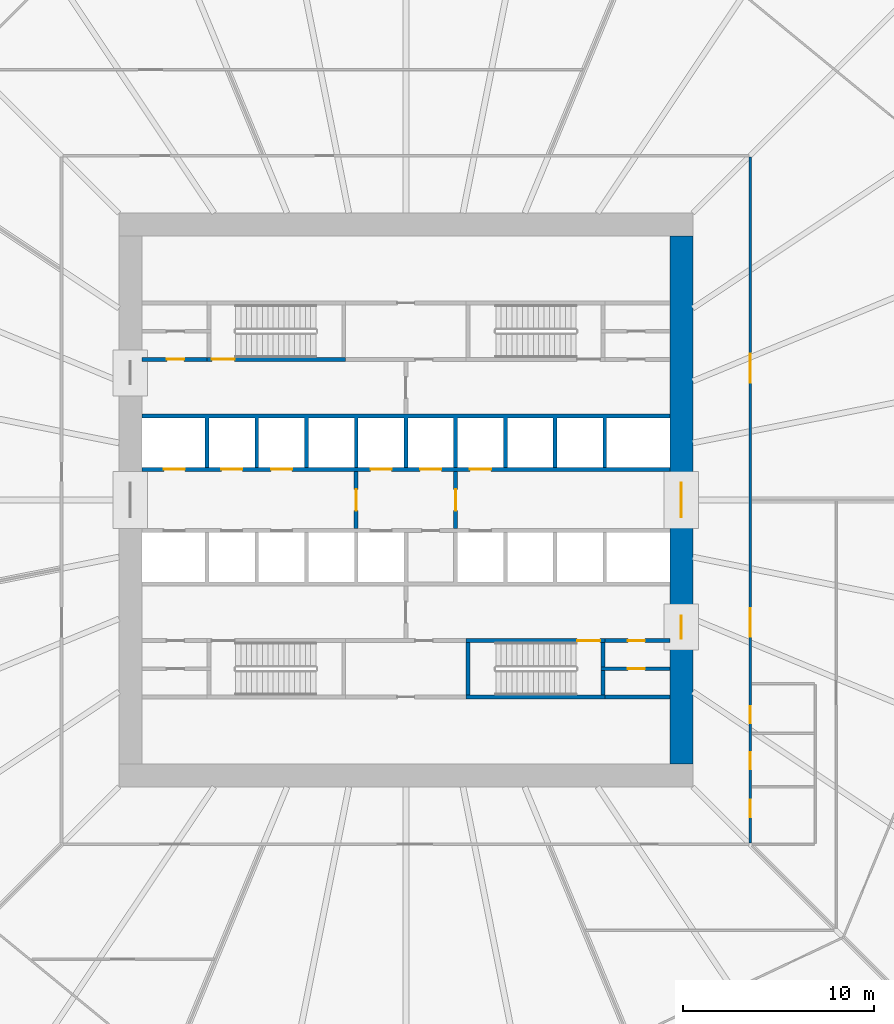
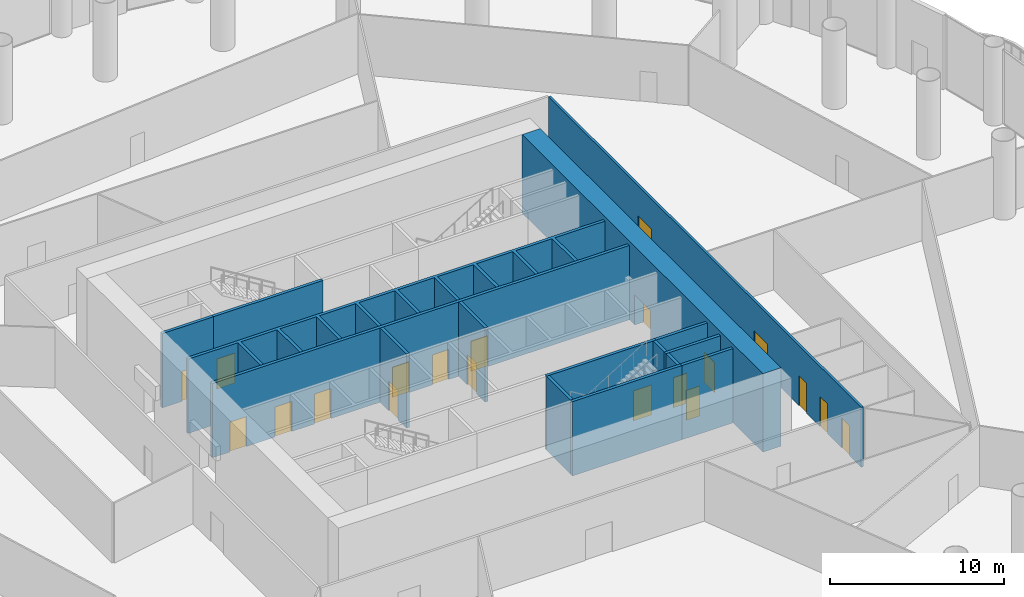
# One storey, part 25 of 37: 20 doors, 16 walls, 20 openings.
"""IFC4 building model written with IfcOpenShell, lengths in metres."""

from ifc_helpers import new_model, si_unit, direction, frame, frame_2d, origin, place, context, subcontext, project, spatial, polyline, rectangle, outline, extrude, material, layer, layer_set, type_object, element, fill, save


model = new_model("IFC4")

# Units and contexts
model_context = context("Model", 3, precision=1e-05, world=origin(), true_north=direction((0.0, 1.0)))
body_context = subcontext(model_context, "Body", "Model", "MODEL_VIEW")
ifc_project = project(units=[si_unit("LENGTHUNIT", "METRE"), si_unit("AREAUNIT", "SQUARE_METRE"), si_unit("VOLUMEUNIT", "CUBIC_METRE"), si_unit("PLANEANGLEUNIT", "RADIAN"), si_unit("MASSUNIT", "GRAM", prefix="KILO")], contexts=[model_context])

# Site, building, storey
site_placement = place(None, origin())
site = spatial("IfcSite", under=ifc_project, at=site_placement, CompositionType="ELEMENT")
building_placement = place(site_placement, origin())
building = spatial("IfcBuilding", under=site, at=building_placement, Name="Corvane Civic Tower", CompositionType="ELEMENT")
storey_placement = place(building_placement, frame((0.0, 0.0, 11.5)))
storey = spatial("IfcBuildingStorey", under=building, at=storey_placement, Name="L02", CompositionType="ELEMENT", Elevation=11.5)

# Wall, openings, doors
ifc_material_1 = material(Name="Concrete C80/95", Category="concrete")
ifc_layer_1 = layer(ifc_material_1, 1.199951171875)
ifc_layer_set_1 = layer_set([ifc_layer_1], Name="Concrete C80/95")
wall_type_1 = type_object("IfcWallType", Name="CORE WALL 1200 C80/95", PredefinedType="SHEAR", material=ifc_layer_set_1)
wall_1_placement = place(storey_placement, frame((14.39990234375, -13.800048828125, 0.0), z_axis=(0.0, 0.0, 1.0), x_axis=(0.0, 1.0, 0.0)))
wall_1 = element("IfcWall", 1, at=wall_1_placement, inside=storey, type_object=wall_type_1, Name="W-L02-core-E", PredefinedType="SHEAR", context=body_context, shape_type="SweptSolid", body=[
    extrude(rectangle(XDim=27.60009765625, YDim=1.199951171875, at=frame_2d((13.800048828125, 0.0))), origin(), (0.0, 0.0, 1.0), 5.5),
])
opening_1_placement = place(wall_1_placement, frame((12.89990234375, 0.0, 0.0)))
opening_1 = element("IfcOpeningElement", 2, at=opening_1_placement, cuts=wall_1, Name="Opening L02.C23", PredefinedType="OPENING", context=body_context, shape_type="SweptSolid", body=[
    extrude(rectangle(XDim=1.800048828125, YDim=2.10009765625, at=frame_2d((0.89990234375, 1.050048828125))), frame((0.0, 0.60986328125, 0.0), z_axis=(0.0, -1.0, 0.0), x_axis=(1.0, 0.0, 0.0)), (0.0, 0.0, 1.0), 1.219970703125),
])
opening_2_placement = place(wall_1_placement, frame((6.550048828125, 0.0, 0.0)))
opening_2 = element("IfcOpeningElement", 3, at=opening_2_placement, cuts=wall_1, Name="Opening L02.C25", PredefinedType="OPENING", context=body_context, shape_type="SweptSolid", body=[
    extrude(rectangle(XDim=1.199951171875, YDim=2.10009765625, at=frame_2d((0.60009765625, 1.050048828125))), frame((0.0, 0.60986328125, 0.0), z_axis=(0.0, -1.0, 0.0), x_axis=(1.0, 0.0, 0.0)), (0.0, 0.0, 1.0), 1.219970703125),
])
ifc_material_2 = material(Name="Steel fire door leaf", Category="steel")
door_type_1 = type_object("IfcDoorType", Name="CR-DOOR-CORE-1800", OperationType="DOUBLE_DOOR_SINGLE_SWING", PredefinedType="DOOR", material=ifc_material_2)
door_1_placement = place(opening_1_placement, origin())
door_1 = element("IfcDoor", 4, at=door_1_placement, inside=storey, type_object=door_type_1, Name="L02 door", OperationType="DOUBLE_DOOR_SINGLE_SWING", OverallHeight=2.10009765625, OverallWidth=1.800048828125, PredefinedType="DOOR", context=body_context, shape_type="SweptSolid", body=[
    extrude(rectangle(XDim=1.800048828125, YDim=2.10009765625, at=frame_2d((0.89990234375, 1.050048828125))), frame((0.0, 0.02490234375, 0.0), z_axis=(0.0, -1.0, 0.0), x_axis=(1.0, 0.0, 0.0)), (0.0, 0.0, 1.0), 0.050048828125),
])
fill(opening_1, door_1)
door_2_placement = place(opening_2_placement, origin())
door_2 = element("IfcDoor", 5, at=door_2_placement, inside=storey, type_object=door_type_1, Name="L02 door", OperationType="DOUBLE_DOOR_SINGLE_SWING", OverallHeight=2.10009765625, OverallWidth=1.199951171875, PredefinedType="DOOR", context=body_context, shape_type="SweptSolid", body=[
    extrude(rectangle(XDim=1.199951171875, YDim=2.10009765625, at=frame_2d((0.60009765625, 1.050048828125))), frame((0.0, 0.02490234375, 0.0), z_axis=(0.0, -1.0, 0.0), x_axis=(1.0, 0.0, 0.0)), (0.0, 0.0, 1.0), 0.050048828125),
])
fill(opening_2, door_2)

# Wall, opening, door
ifc_material_3 = material(Name="Concrete C30/37", Category="concrete")
ifc_layer_2 = layer(ifc_material_3, 0.199951171875)
ifc_layer_set_2 = layer_set([ifc_layer_2], Name="Concrete C30/37")
wall_type_2 = type_object("IfcWallType", Name="CR-WALL-200", PredefinedType="PARTITIONING", material=ifc_layer_set_2)
wall_2_placement = place(storey_placement, frame((10.199951171875, -8.824951171875, 0.0), z_axis=(0.0, 0.0, 1.0), x_axis=(1.0, 0.0, 0.0)))
wall_2 = element("IfcWall", 6, at=wall_2_placement, inside=storey, type_object=wall_type_2, Name="L02 partition wall", PredefinedType="PARTITIONING", context=body_context, shape_type="SweptSolid", body=[
    extrude(rectangle(XDim=3.60009765625, YDim=0.199951171875, at=frame_2d((1.800048828125, 0.0))), origin(), (0.0, 0.0, 1.0), 5.199951171875),
])
opening_3_placement = place(wall_2_placement, frame((1.39990234375, 0.0, 0.0)))
opening_3 = element("IfcOpeningElement", 7, at=opening_3_placement, cuts=wall_2, Name="Opening L02.C13", PredefinedType="OPENING", context=body_context, shape_type="SweptSolid", body=[
    extrude(rectangle(XDim=0.89990234375, YDim=2.10009765625, at=frame_2d((0.449951171875, 1.050048828125))), frame((0.0, 0.10986328125, 0.0), z_axis=(0.0, -1.0, 0.0), x_axis=(1.0, 0.0, 0.0)), (0.0, 0.0, 1.0), 0.219970703125),
])
ifc_material_4 = material(Name="Steel fire door leaf", Category="steel")
door_type_2 = type_object("IfcDoorType", Name="CR-DOOR-900", OperationType="SINGLE_SWING_LEFT", PredefinedType="DOOR", material=ifc_material_4)
door_3_placement = place(opening_3_placement, origin())
door_3 = element("IfcDoor", 8, at=door_3_placement, inside=storey, type_object=door_type_2, Name="L02 door", OperationType="SINGLE_SWING_LEFT", OverallHeight=2.10009765625, OverallWidth=0.89990234375, PredefinedType="DOOR", context=body_context, shape_type="SweptSolid", body=[
    extrude(rectangle(XDim=0.89990234375, YDim=2.10009765625, at=frame_2d((0.449951171875, 1.050048828125))), frame((0.0, 0.02490234375, 0.0), z_axis=(0.0, -1.0, 0.0), x_axis=(1.0, 0.0, 0.0)), (0.0, 0.0, 1.0), 0.050048828125),
])
fill(opening_3, door_3)

wall_3_placement = place(storey_placement, frame((10.39990234375, -7.35009765625, 0.0), z_axis=(0.0, 0.0, 1.0), x_axis=(1.0, 0.0, 0.0)))
wall_3 = element("IfcWall", 9, at=wall_3_placement, inside=storey, type_object=wall_type_2, Name="L02 core partition wall", PredefinedType="PARTITIONING", context=body_context, shape_type="SweptSolid", body=[
    extrude(rectangle(XDim=3.400146484375, YDim=0.199951171875, at=frame_2d((1.7001953125, 0.0))), origin(), (0.0, 0.0, 1.0), 5.199951171875),
])
opening_4_placement = place(wall_3_placement, frame((1.199951171875, 0.0, 0.0)))
opening_4 = element("IfcOpeningElement", 10, at=opening_4_placement, cuts=wall_3, Name="Opening L02.C12", PredefinedType="OPENING", context=body_context, shape_type="SweptSolid", body=[
    extrude(rectangle(XDim=0.89990234375, YDim=2.10009765625, at=frame_2d((0.449951171875, 1.050048828125))), frame((0.0, 0.10986328125, 0.0), z_axis=(0.0, -1.0, 0.0), x_axis=(1.0, 0.0, 0.0)), (0.0, 0.0, 1.0), 0.219970703125),
])
door_4_placement = place(opening_4_placement, origin())
door_4 = element("IfcDoor", 11, at=door_4_placement, inside=storey, type_object=door_type_2, Name="L02 door", OperationType="SINGLE_SWING_LEFT", OverallHeight=2.10009765625, OverallWidth=0.89990234375, PredefinedType="DOOR", context=body_context, shape_type="SweptSolid", body=[
    extrude(rectangle(XDim=0.89990234375, YDim=2.10009765625, at=frame_2d((0.449951171875, 1.050048828125))), frame((0.0, 0.02490234375, 0.0), z_axis=(0.0, -1.0, 0.0), x_axis=(1.0, 0.0, 0.0)), (0.0, 0.0, 1.0), 0.050048828125),
])
fill(opening_4, door_4)

# Wall, openings, doors
wall_4_placement = place(storey_placement, frame((-13.800048828125, 1.60009765625, 0.0), z_axis=(0.0, 0.0, 1.0), x_axis=(1.0, 0.0, 0.0)))
wall_4 = element("IfcWall", 12, at=wall_4_placement, inside=storey, type_object=wall_type_2, Name="L02 lift shaft wall", PredefinedType="PARTITIONING", context=body_context, shape_type="SweptSolid", body=[
    extrude(rectangle(XDim=27.60009765625, YDim=0.199951171875, at=frame_2d((13.800048828125, 0.0))), origin(), (0.0, 0.0, 1.0), 5.199951171875),
])
opening_5_placement = place(wall_4_placement, frame((1.14990234375, 0.0, 0.0)))
opening_5 = element("IfcOpeningElement", 13, at=opening_5_placement, cuts=wall_4, Name="Opening LD", PredefinedType="OPENING", context=body_context, shape_type="SweptSolid", body=[
    extrude(rectangle(XDim=1.10009765625, YDim=2.10009765625, at=frame_2d((0.550048828125, 1.050048828125))), frame((0.0, 0.10986328125, 0.0), z_axis=(0.0, -1.0, 0.0), x_axis=(1.0, 0.0, 0.0)), (0.0, 0.0, 1.0), 0.219970703125),
])
opening_6_placement = place(wall_4_placement, frame((4.14990234375, 0.0, 0.0)))
opening_6 = element("IfcOpeningElement", 14, at=opening_6_placement, cuts=wall_4, Name="Opening LD", PredefinedType="OPENING", context=body_context, shape_type="SweptSolid", body=[
    extrude(rectangle(XDim=1.10009765625, YDim=2.10009765625, at=frame_2d((0.550048828125, 1.050048828125))), frame((0.0, 0.10986328125, 0.0), z_axis=(0.0, -1.0, 0.0), x_axis=(1.0, 0.0, 0.0)), (0.0, 0.0, 1.0), 0.219970703125),
])
opening_7_placement = place(wall_4_placement, frame((6.75, 0.0, 0.0)))
opening_7 = element("IfcOpeningElement", 15, at=opening_7_placement, cuts=wall_4, Name="Opening LD", PredefinedType="OPENING", context=body_context, shape_type="SweptSolid", body=[
    extrude(rectangle(XDim=1.10009765625, YDim=2.10009765625, at=frame_2d((0.550048828125, 1.050048828125))), frame((0.0, 0.10986328125, 0.0), z_axis=(0.0, -1.0, 0.0), x_axis=(1.0, 0.0, 0.0)), (0.0, 0.0, 1.0), 0.219970703125),
])
opening_8_placement = place(wall_4_placement, frame((11.949951171875, 0.0, 0.0)))
opening_8 = element("IfcOpeningElement", 16, at=opening_8_placement, cuts=wall_4, Name="Opening LD", PredefinedType="OPENING", context=body_context, shape_type="SweptSolid", body=[
    extrude(rectangle(XDim=1.10009765625, YDim=2.10009765625, at=frame_2d((0.550048828125, 1.050048828125))), frame((0.0, 0.10986328125, 0.0), z_axis=(0.0, -1.0, 0.0), x_axis=(1.0, 0.0, 0.0)), (0.0, 0.0, 1.0), 0.219970703125),
])
opening_9_placement = place(wall_4_placement, frame((14.550048828125, 0.0, 0.0)))
opening_9 = element("IfcOpeningElement", 17, at=opening_9_placement, cuts=wall_4, Name="Opening LD", PredefinedType="OPENING", context=body_context, shape_type="SweptSolid", body=[
    extrude(rectangle(XDim=1.10009765625, YDim=2.10009765625, at=frame_2d((0.550048828125, 1.050048828125))), frame((0.0, 0.10986328125, 0.0), z_axis=(0.0, -1.0, 0.0), x_axis=(1.0, 0.0, 0.0)), (0.0, 0.0, 1.0), 0.219970703125),
])
opening_10_placement = place(wall_4_placement, frame((17.14990234375, 0.0, 0.0)))
opening_10 = element("IfcOpeningElement", 18, at=opening_10_placement, cuts=wall_4, Name="Opening LD", PredefinedType="OPENING", context=body_context, shape_type="SweptSolid", body=[
    extrude(rectangle(XDim=1.10009765625, YDim=2.10009765625, at=frame_2d((0.550048828125, 1.050048828125))), frame((0.0, 0.10986328125, 0.0), z_axis=(0.0, -1.0, 0.0), x_axis=(1.0, 0.0, 0.0)), (0.0, 0.0, 1.0), 0.219970703125),
])
ifc_material_5 = material(Name="Stainless steel 316 door leaves", Category="steel")
door_type_3 = type_object("IfcDoorType", Name="LD", OperationType="DOUBLE_DOOR_SLIDING", PredefinedType="DOOR", material=ifc_material_5)
door_5_placement = place(opening_5_placement, origin())
door_5 = element("IfcDoor", 19, at=door_5_placement, inside=storey, type_object=door_type_3, Name="L02 landing door", OperationType="DOUBLE_DOOR_SLIDING", OverallHeight=2.10009765625, OverallWidth=1.10009765625, PredefinedType="DOOR", context=body_context, shape_type="SweptSolid", body=[
    extrude(rectangle(XDim=1.10009765625, YDim=2.10009765625, at=frame_2d((0.550048828125, 1.050048828125))), frame((0.0, 0.02490234375, 0.0), z_axis=(0.0, -1.0, 0.0), x_axis=(1.0, 0.0, 0.0)), (0.0, 0.0, 1.0), 0.050048828125),
])
fill(opening_5, door_5)
door_6_placement = place(opening_6_placement, origin())
door_6 = element("IfcDoor", 20, at=door_6_placement, inside=storey, type_object=door_type_3, Name="L02 landing door", OperationType="DOUBLE_DOOR_SLIDING", OverallHeight=2.10009765625, OverallWidth=1.10009765625, PredefinedType="DOOR", context=body_context, shape_type="SweptSolid", body=[
    extrude(rectangle(XDim=1.10009765625, YDim=2.10009765625, at=frame_2d((0.550048828125, 1.050048828125))), frame((0.0, 0.02490234375, 0.0), z_axis=(0.0, -1.0, 0.0), x_axis=(1.0, 0.0, 0.0)), (0.0, 0.0, 1.0), 0.050048828125),
])
fill(opening_6, door_6)
door_7_placement = place(opening_7_placement, origin())
door_7 = element("IfcDoor", 21, at=door_7_placement, inside=storey, type_object=door_type_3, Name="L02 landing door", OperationType="DOUBLE_DOOR_SLIDING", OverallHeight=2.10009765625, OverallWidth=1.10009765625, PredefinedType="DOOR", context=body_context, shape_type="SweptSolid", body=[
    extrude(rectangle(XDim=1.10009765625, YDim=2.10009765625, at=frame_2d((0.550048828125, 1.050048828125))), frame((0.0, 0.02490234375, 0.0), z_axis=(0.0, -1.0, 0.0), x_axis=(1.0, 0.0, 0.0)), (0.0, 0.0, 1.0), 0.050048828125),
])
fill(opening_7, door_7)
door_8_placement = place(opening_8_placement, origin())
door_8 = element("IfcDoor", 22, at=door_8_placement, inside=storey, type_object=door_type_3, Name="L02 landing door", OperationType="DOUBLE_DOOR_SLIDING", OverallHeight=2.10009765625, OverallWidth=1.10009765625, PredefinedType="DOOR", context=body_context, shape_type="SweptSolid", body=[
    extrude(rectangle(XDim=1.10009765625, YDim=2.10009765625, at=frame_2d((0.550048828125, 1.050048828125))), frame((0.0, 0.02490234375, 0.0), z_axis=(0.0, -1.0, 0.0), x_axis=(1.0, 0.0, 0.0)), (0.0, 0.0, 1.0), 0.050048828125),
])
fill(opening_8, door_8)
door_9_placement = place(opening_9_placement, origin())
door_9 = element("IfcDoor", 23, at=door_9_placement, inside=storey, type_object=door_type_3, Name="L02 landing door", OperationType="DOUBLE_DOOR_SLIDING", OverallHeight=2.10009765625, OverallWidth=1.10009765625, PredefinedType="DOOR", context=body_context, shape_type="SweptSolid", body=[
    extrude(rectangle(XDim=1.10009765625, YDim=2.10009765625, at=frame_2d((0.550048828125, 1.050048828125))), frame((0.0, 0.02490234375, 0.0), z_axis=(0.0, -1.0, 0.0), x_axis=(1.0, 0.0, 0.0)), (0.0, 0.0, 1.0), 0.050048828125),
])
fill(opening_9, door_9)
door_10_placement = place(opening_10_placement, origin())
door_10 = element("IfcDoor", 24, at=door_10_placement, inside=storey, type_object=door_type_3, Name="L02 landing door", OperationType="DOUBLE_DOOR_SLIDING", OverallHeight=2.10009765625, OverallWidth=1.10009765625, PredefinedType="DOOR", context=body_context, shape_type="SweptSolid", body=[
    extrude(rectangle(XDim=1.10009765625, YDim=2.10009765625, at=frame_2d((0.550048828125, 1.050048828125))), frame((0.0, 0.02490234375, 0.0), z_axis=(0.0, -1.0, 0.0), x_axis=(1.0, 0.0, 0.0)), (0.0, 0.0, 1.0), 0.050048828125),
])
fill(opening_10, door_10)

# Wall, opening, door
wall_5_placement = place(storey_placement, frame((-13.800048828125, 7.35009765625, 0.0), z_axis=(0.0, 0.0, 1.0), x_axis=(1.0, 0.0, 0.0)))
wall_5 = element("IfcWall", 25, at=wall_5_placement, inside=storey, type_object=wall_type_2, Name="L02 core partition wall", PredefinedType="PARTITIONING", context=body_context, shape_type="SweptSolid", body=[
    extrude(rectangle(XDim=3.400146484375, YDim=0.199951171875, at=frame_2d((1.7001953125, 0.0))), origin(), (0.0, 0.0, 1.0), 5.199951171875),
])
opening_11_placement = place(wall_5_placement, frame((1.300048828125, 0.0, 0.0)))
opening_11 = element("IfcOpeningElement", 26, at=opening_11_placement, cuts=wall_5, Name="Opening L02.C06", PredefinedType="OPENING", context=body_context, shape_type="SweptSolid", body=[
    extrude(rectangle(XDim=0.89990234375, YDim=2.10009765625, at=frame_2d((0.449951171875, 1.050048828125))), frame((0.0, 0.10986328125, 0.0), z_axis=(0.0, -1.0, 0.0), x_axis=(1.0, 0.0, 0.0)), (0.0, 0.0, 1.0), 0.219970703125),
])
door_11_placement = place(opening_11_placement, origin())
door_11 = element("IfcDoor", 27, at=door_11_placement, inside=storey, type_object=door_type_2, Name="L02 door", OperationType="SINGLE_SWING_LEFT", OverallHeight=2.10009765625, OverallWidth=0.89990234375, PredefinedType="DOOR", context=body_context, shape_type="SweptSolid", body=[
    extrude(rectangle(XDim=0.89990234375, YDim=2.10009765625, at=frame_2d((0.449951171875, 1.050048828125))), frame((0.0, 0.02490234375, 0.0), z_axis=(0.0, -1.0, 0.0), x_axis=(1.0, 0.0, 0.0)), (0.0, 0.0, 1.0), 0.050048828125),
])
fill(opening_11, door_11)

wall_6_placement = place(storey_placement, frame((-2.60009765625, -1.5, 0.0), z_axis=(0.0, 0.0, 1.0), x_axis=(0.0, 1.0, 0.0)))
wall_6 = element("IfcWall", 28, at=wall_6_placement, inside=storey, type_object=wall_type_2, Name="L02 firefighting lobby wall", PredefinedType="PARTITIONING", context=body_context, shape_type="SweptSolid", body=[
    extrude(rectangle(XDim=3.0, YDim=0.199951171875, at=frame_2d((1.5, 0.0))), origin(), (0.0, 0.0, 1.0), 5.199951171875),
])
opening_12_placement = place(wall_6_placement, frame((0.949951171875, 0.0, 0.0)))
opening_12 = element("IfcOpeningElement", 29, at=opening_12_placement, cuts=wall_6, Name="Opening L02.C18", PredefinedType="OPENING", context=body_context, shape_type="SweptSolid", body=[
    extrude(rectangle(XDim=1.10009765625, YDim=2.10009765625, at=frame_2d((0.550048828125, 1.050048828125))), frame((0.0, 0.10986328125, 0.0), z_axis=(0.0, -1.0, 0.0), x_axis=(1.0, 0.0, 0.0)), (0.0, 0.0, 1.0), 0.219970703125),
])
ifc_material_6 = material(Name="Steel fire door leaf", Category="steel")
door_type_4 = type_object("IfcDoorType", Name="CR-DOOR-FFL-1100", OperationType="SINGLE_SWING_LEFT", PredefinedType="DOOR", material=ifc_material_6)
door_12_placement = place(opening_12_placement, origin())
door_12 = element("IfcDoor", 30, at=door_12_placement, inside=storey, type_object=door_type_4, Name="L02 lobby door", OperationType="SINGLE_SWING_LEFT", OverallHeight=2.10009765625, OverallWidth=1.10009765625, PredefinedType="DOOR", context=body_context, shape_type="SweptSolid", body=[
    extrude(rectangle(XDim=1.10009765625, YDim=2.10009765625, at=frame_2d((0.550048828125, 1.050048828125))), frame((0.0, 0.02490234375, 0.0), z_axis=(0.0, -1.0, 0.0), x_axis=(1.0, 0.0, 0.0)), (0.0, 0.0, 1.0), 0.050048828125),
])
fill(opening_12, door_12)

wall_7_placement = place(storey_placement, frame((2.60009765625, -1.5, 0.0), z_axis=(0.0, 0.0, 1.0), x_axis=(0.0, 1.0, 0.0)))
wall_7 = element("IfcWall", 31, at=wall_7_placement, inside=storey, type_object=wall_type_2, Name="L02 firefighting lobby wall", PredefinedType="PARTITIONING", context=body_context, shape_type="SweptSolid", body=[
    extrude(rectangle(XDim=3.0, YDim=0.199951171875, at=frame_2d((1.5, 0.0))), origin(), (0.0, 0.0, 1.0), 5.199951171875),
])
opening_13_placement = place(wall_7_placement, frame((0.949951171875, 0.0, 0.0)))
opening_13 = element("IfcOpeningElement", 32, at=opening_13_placement, cuts=wall_7, Name="Opening L02.C19", PredefinedType="OPENING", context=body_context, shape_type="SweptSolid", body=[
    extrude(rectangle(XDim=1.10009765625, YDim=2.10009765625, at=frame_2d((0.550048828125, 1.050048828125))), frame((0.0, 0.10986328125, 0.0), z_axis=(0.0, -1.0, 0.0), x_axis=(1.0, 0.0, 0.0)), (0.0, 0.0, 1.0), 0.219970703125),
])
door_13_placement = place(opening_13_placement, origin())
door_13 = element("IfcDoor", 33, at=door_13_placement, inside=storey, type_object=door_type_4, Name="L02 lobby door", OperationType="SINGLE_SWING_LEFT", OverallHeight=2.10009765625, OverallWidth=1.10009765625, PredefinedType="DOOR", context=body_context, shape_type="SweptSolid", body=[
    extrude(rectangle(XDim=1.10009765625, YDim=2.10009765625, at=frame_2d((0.550048828125, 1.050048828125))), frame((0.0, 0.02490234375, 0.0), z_axis=(0.0, -1.0, 0.0), x_axis=(1.0, 0.0, 0.0)), (0.0, 0.0, 1.0), 0.050048828125),
])
fill(opening_13, door_13)

# Walls
wall_8_placement = place(storey_placement, origin())
element("IfcWall", 34, at=wall_8_placement, inside=storey, type_object=wall_type_2, Name="L02 core partition wall", PredefinedType="PARTITIONING", context=body_context, shape_type="SweptSolid", body=[
    extrude(outline(polyline([(-7.699951171875, 4.300048828125), (-7.699951171875, 1.699951171875), (-7.89990234375, 1.699951171875), (-7.89990234375, 4.300048828125), (-10.300048828125, 4.300048828125), (-10.300048828125, 1.699951171875), (-10.5, 1.699951171875), (-10.5, 4.300048828125), (-13.800048828125, 4.300048828125), (-13.800048828125, 4.5), (13.800048828125, 4.5), (13.800048828125, 4.300048828125), (10.5, 4.300048828125), (10.5, 1.699951171875), (10.300048828125, 1.699951171875), (10.300048828125, 4.300048828125), (7.89990234375, 4.300048828125), (7.89990234375, 1.699951171875), (7.699951171875, 1.699951171875), (7.699951171875, 4.300048828125), (5.300048828125, 4.300048828125), (5.300048828125, 1.699951171875), (5.10009765625, 1.699951171875), (5.10009765625, 4.300048828125), (2.699951171875, 4.300048828125), (2.699951171875, 1.699951171875), (2.5, 1.699951171875), (2.5, 4.300048828125), (0.10009765625, 4.300048828125), (0.10009765625, 1.699951171875), (-0.10009765625, 1.699951171875), (-0.10009765625, 4.300048828125), (-2.5, 4.300048828125), (-2.5, 1.699951171875), (-2.699951171875, 1.699951171875), (-2.699951171875, 4.300048828125), (-5.10009765625, 4.300048828125), (-5.10009765625, 1.699951171875), (-5.300048828125, 1.699951171875), (-5.300048828125, 4.300048828125), (-7.699951171875, 4.300048828125)])), origin(), (0.0, 0.0, 1.0), 5.199951171875),
])
wall_9_placement = place(storey_placement, origin())
element("IfcWall", 35, at=wall_9_placement, inside=storey, type_object=wall_type_2, Name="L02 core partition wall", PredefinedType="PARTITIONING", context=body_context, shape_type="SweptSolid", body=[
    extrude(outline(polyline([(13.800048828125, -10.39990234375), (10.39990234375, -10.39990234375), (10.39990234375, -10.199951171875), (13.800048828125, -10.199951171875), (13.800048828125, -10.39990234375)])), origin(), (0.0, 0.0, 1.0), 5.199951171875),
])

# Wall, opening, door
ifc_material_7 = material(Name="Concrete C50/60", Category="concrete")
ifc_layer_3 = layer(ifc_material_7, 0.199951171875)
ifc_layer_set_3 = layer_set([ifc_layer_3], Name="Concrete C50/60")
wall_type_3 = type_object("IfcWallType", Name="ST-WALL-200", PredefinedType="SHEAR", material=ifc_layer_set_3)
wall_10_placement = place(storey_placement, frame((3.14990234375, -7.35009765625, 0.0), z_axis=(0.0, 0.0, 1.0), x_axis=(1.0, 0.0, 0.0)))
wall_10 = element("IfcWall", 36, at=wall_10_placement, inside=storey, type_object=wall_type_3, Name="L02 stair enclosure wall", PredefinedType="SHEAR", context=body_context, shape_type="SweptSolid", body=[
    extrude(rectangle(XDim=7.25, YDim=0.199951171875, at=frame_2d((3.625, 0.0))), origin(), (0.0, 0.0, 1.0), 5.199951171875),
])
opening_14_placement = place(wall_10_placement, frame((5.800048828125, 0.0, 0.0)))
opening_14 = element("IfcOpeningElement", 37, at=opening_14_placement, cuts=wall_10, Name="Opening L02.C16", PredefinedType="OPENING", context=body_context, shape_type="SweptSolid", body=[
    extrude(rectangle(XDim=1.199951171875, YDim=2.10009765625, at=frame_2d((0.60009765625, 1.050048828125))), frame((0.0, 0.10986328125, 0.0), z_axis=(0.0, -1.0, 0.0), x_axis=(1.0, 0.0, 0.0)), (0.0, 0.0, 1.0), 0.219970703125),
])
ifc_material_8 = material(Name="Steel fire door leaf", Category="steel")
door_type_5 = type_object("IfcDoorType", Name="ST-DOOR-1200", OperationType="SINGLE_SWING_RIGHT", PredefinedType="DOOR", material=ifc_material_8)
door_14_placement = place(opening_14_placement, origin())
door_14 = element("IfcDoor", 38, at=door_14_placement, inside=storey, type_object=door_type_5, Name="L02 stair door", OperationType="SINGLE_SWING_RIGHT", OverallHeight=2.10009765625, OverallWidth=1.199951171875, PredefinedType="DOOR", context=body_context, shape_type="SweptSolid", body=[
    extrude(rectangle(XDim=1.199951171875, YDim=2.10009765625, at=frame_2d((0.60009765625, 1.050048828125))), frame((0.0, 0.02490234375, 0.0), z_axis=(0.0, -1.0, 0.0), x_axis=(1.0, 0.0, 0.0)), (0.0, 0.0, 1.0), 0.050048828125),
])
fill(opening_14, door_14)

wall_11_placement = place(storey_placement, frame((-10.39990234375, 7.35009765625, 0.0), z_axis=(0.0, 0.0, 1.0), x_axis=(1.0, 0.0, 0.0)))
wall_11 = element("IfcWall", 39, at=wall_11_placement, inside=storey, type_object=wall_type_3, Name="L02 stair enclosure wall", PredefinedType="SHEAR", context=body_context, shape_type="SweptSolid", body=[
    extrude(rectangle(XDim=7.25, YDim=0.199951171875, at=frame_2d((3.625, 0.0))), origin(), (0.0, 0.0, 1.0), 5.199951171875),
])
opening_15_placement = place(wall_11_placement, frame((0.25, 0.0, 0.0)))
opening_15 = element("IfcOpeningElement", 40, at=opening_15_placement, cuts=wall_11, Name="Opening L02.C15", PredefinedType="OPENING", context=body_context, shape_type="SweptSolid", body=[
    extrude(rectangle(XDim=1.199951171875, YDim=2.10009765625, at=frame_2d((0.60009765625, 1.050048828125))), frame((0.0, 0.10986328125, 0.0), z_axis=(0.0, -1.0, 0.0), x_axis=(1.0, 0.0, 0.0)), (0.0, 0.0, 1.0), 0.219970703125),
])
door_15_placement = place(opening_15_placement, origin())
door_15 = element("IfcDoor", 41, at=door_15_placement, inside=storey, type_object=door_type_5, Name="L02 stair door", OperationType="SINGLE_SWING_RIGHT", OverallHeight=2.10009765625, OverallWidth=1.199951171875, PredefinedType="DOOR", context=body_context, shape_type="SweptSolid", body=[
    extrude(rectangle(XDim=1.199951171875, YDim=2.10009765625, at=frame_2d((0.60009765625, 1.050048828125))), frame((0.0, 0.02490234375, 0.0), z_axis=(0.0, -1.0, 0.0), x_axis=(1.0, 0.0, 0.0)), (0.0, 0.0, 1.0), 0.050048828125),
])
fill(opening_15, door_15)

# Walls
wall_12_placement = place(storey_placement, origin())
element("IfcWall", 42, at=wall_12_placement, inside=storey, type_object=wall_type_3, Name="L02 stair enclosure wall", PredefinedType="SHEAR", context=body_context, shape_type="SweptSolid", body=[
    extrude(outline(polyline([(10.39990234375, -10.39990234375), (3.14990234375, -10.39990234375), (3.14990234375, -10.199951171875), (10.39990234375, -10.199951171875), (10.39990234375, -10.39990234375)])), origin(), (0.0, 0.0, 1.0), 5.199951171875),
])
wall_13_placement = place(storey_placement, origin())
element("IfcWall", 43, at=wall_13_placement, inside=storey, type_object=wall_type_3, Name="L02 stair enclosure wall", PredefinedType="SHEAR", context=body_context, shape_type="SweptSolid", body=[
    extrude(outline(polyline([(3.35009765625, -7.449951171875), (3.35009765625, -10.199951171875), (3.14990234375, -10.199951171875), (3.14990234375, -7.449951171875), (3.35009765625, -7.449951171875)])), origin(), (0.0, 0.0, 1.0), 5.199951171875),
])
wall_14_placement = place(storey_placement, origin())
element("IfcWall", 44, at=wall_14_placement, inside=storey, type_object=wall_type_3, Name="L02 stair enclosure wall", PredefinedType="SHEAR", context=body_context, shape_type="SweptSolid", body=[
    extrude(outline(polyline([(10.39990234375, -7.449951171875), (10.39990234375, -8.72509765625), (10.199951171875, -8.72509765625), (10.199951171875, -7.449951171875), (10.39990234375, -7.449951171875)])), origin(), (0.0, 0.0, 1.0), 5.199951171875),
])
wall_15_placement = place(storey_placement, origin())
element("IfcWall", 45, at=wall_15_placement, inside=storey, type_object=wall_type_3, Name="L02 stair enclosure wall", PredefinedType="SHEAR", context=body_context, shape_type="SweptSolid", body=[
    extrude(outline(polyline([(10.39990234375, -8.925048828125), (10.39990234375, -10.199951171875), (10.199951171875, -10.199951171875), (10.199951171875, -8.925048828125), (10.39990234375, -8.925048828125)])), origin(), (0.0, 0.0, 1.0), 5.199951171875),
])

# Wall, openings, doors
ifc_material_9 = material(Name="Plasterboard")
ifc_layer_4 = layer(ifc_material_9, 0.14990234375)
ifc_layer_set_4 = layer_set([ifc_layer_4], Name="Plasterboard")
wall_type_4 = type_object("IfcWallType", Name="Tenancy wall 150 EI 60", PredefinedType="PARTITIONING", material=ifc_layer_set_4)
wall_16_placement = place(storey_placement, frame((18.0, -17.925048828125, 0.0), z_axis=(0.0, 0.0, 1.0), x_axis=(0.0, 1.0, 0.0)))
wall_16 = element("IfcWall", 46, at=wall_16_placement, inside=storey, type_object=wall_type_4, Name="Partition L02.022", PredefinedType="PARTITIONING", context=body_context, shape_type="SweptSolid", body=[
    extrude(rectangle(XDim=35.85009765625, YDim=0.14990234375, at=frame_2d((17.925048828125, 0.0))), origin(), (0.0, 0.0, 1.0), 4.199951171875),
])
opening_16_placement = place(wall_16_placement, frame((24.062744140625, 0.0, 0.0)))
opening_16 = element("IfcOpeningElement", 47, at=opening_16_placement, cuts=wall_16, Name="Opening L02.009", PredefinedType="OPENING", context=body_context, shape_type="SweptSolid", body=[
    extrude(rectangle(XDim=1.5, YDim=2.10009765625, at=frame_2d((0.75, 1.050048828125))), frame((0.0, 0.0849609375, 0.0), z_axis=(0.0, -1.0, 0.0), x_axis=(1.0, 0.0, 0.0)), (0.0, 0.0, 1.0), 0.169921875),
])
opening_17_placement = place(wall_16_placement, frame((10.766357421875, 0.0, 0.0)))
opening_17 = element("IfcOpeningElement", 48, at=opening_17_placement, cuts=wall_16, Name="Opening L02.013", PredefinedType="OPENING", context=body_context, shape_type="SweptSolid", body=[
    extrude(rectangle(XDim=1.5, YDim=2.10009765625, at=frame_2d((0.75, 1.050048828125))), frame((0.0, 0.0849609375, 0.0), z_axis=(0.0, -1.0, 0.0), x_axis=(1.0, 0.0, 0.0)), (0.0, 0.0, 1.0), 0.169921875),
])
opening_18_placement = place(wall_16_placement, frame((1.348388671875, 0.0, 0.0)))
opening_18 = element("IfcOpeningElement", 49, at=opening_18_placement, cuts=wall_16, Name="Opening L02.015", PredefinedType="OPENING", context=body_context, shape_type="SweptSolid", body=[
    extrude(rectangle(XDim=0.89990234375, YDim=2.10009765625, at=frame_2d((0.449951171875, 1.050048828125))), frame((0.0, 0.0849609375, 0.0), z_axis=(0.0, -1.0, 0.0), x_axis=(1.0, 0.0, 0.0)), (0.0, 0.0, 1.0), 0.169921875),
])
opening_19_placement = place(wall_16_placement, frame((3.83935546875, 0.0, 0.0)))
opening_19 = element("IfcOpeningElement", 50, at=opening_19_placement, cuts=wall_16, Name="Opening L02.016", PredefinedType="OPENING", context=body_context, shape_type="SweptSolid", body=[
    extrude(rectangle(XDim=0.89990234375, YDim=2.10009765625, at=frame_2d((0.449951171875, 1.050048828125))), frame((0.0, 0.0849609375, 0.0), z_axis=(0.0, -1.0, 0.0), x_axis=(1.0, 0.0, 0.0)), (0.0, 0.0, 1.0), 0.169921875),
])
opening_20_placement = place(wall_16_placement, frame((6.2412109375, 0.0, 0.0)))
opening_20 = element("IfcOpeningElement", 51, at=opening_20_placement, cuts=wall_16, Name="Opening L02.017", PredefinedType="OPENING", context=body_context, shape_type="SweptSolid", body=[
    extrude(rectangle(XDim=0.89990234375, YDim=2.10009765625, at=frame_2d((0.449951171875, 1.050048828125))), frame((0.0, 0.0849609375, 0.0), z_axis=(0.0, -1.0, 0.0), x_axis=(1.0, 0.0, 0.0)), (0.0, 0.0, 1.0), 0.169921875),
])
ifc_material_10 = material(Name="Steel and timber", Category="steel")
door_type_6 = type_object("IfcDoorType", Name="Fire door FD30S 900", OperationType="NOTDEFINED", PredefinedType="DOOR", material=ifc_material_10)
door_16_placement = place(opening_18_placement, frame((0.89990234375, 0.0, 0.0), z_axis=(0.0, 0.0, 1.0), x_axis=(-1.0, 0.0, 0.0)))
door_16 = element("IfcDoor", 52, at=door_16_placement, inside=storey, type_object=door_type_6, Name="Door L02.015", OperationType="SINGLE_SWING_LEFT", OverallHeight=2.10009765625, OverallWidth=0.89990234375, PredefinedType="DOOR", context=body_context, shape_type="SweptSolid", body=[
    extrude(rectangle(XDim=0.89990234375, YDim=2.10009765625, at=frame_2d((0.449951171875, 1.050048828125))), frame((0.0, 0.02490234375, 0.0), z_axis=(0.0, -1.0, 0.0), x_axis=(1.0, 0.0, 0.0)), (0.0, 0.0, 1.0), 0.050048828125),
])
fill(opening_18, door_16)
door_17_placement = place(opening_19_placement, frame((0.89990234375, 0.0, 0.0), z_axis=(0.0, 0.0, 1.0), x_axis=(-1.0, 0.0, 0.0)))
door_17 = element("IfcDoor", 53, at=door_17_placement, inside=storey, type_object=door_type_6, Name="Door L02.016", OperationType="SINGLE_SWING_LEFT", OverallHeight=2.10009765625, OverallWidth=0.89990234375, PredefinedType="DOOR", context=body_context, shape_type="SweptSolid", body=[
    extrude(rectangle(XDim=0.89990234375, YDim=2.10009765625, at=frame_2d((0.449951171875, 1.050048828125))), frame((0.0, 0.02490234375, 0.0), z_axis=(0.0, -1.0, 0.0), x_axis=(1.0, 0.0, 0.0)), (0.0, 0.0, 1.0), 0.050048828125),
])
fill(opening_19, door_17)
door_18_placement = place(opening_20_placement, frame((0.89990234375, 0.0, 0.0), z_axis=(0.0, 0.0, 1.0), x_axis=(-1.0, 0.0, 0.0)))
door_18 = element("IfcDoor", 54, at=door_18_placement, inside=storey, type_object=door_type_6, Name="Door L02.017", OperationType="SINGLE_SWING_RIGHT", OverallHeight=2.10009765625, OverallWidth=0.89990234375, PredefinedType="DOOR", context=body_context, shape_type="SweptSolid", body=[
    extrude(rectangle(XDim=0.89990234375, YDim=2.10009765625, at=frame_2d((0.449951171875, 1.050048828125))), frame((0.0, 0.02490234375, 0.0), z_axis=(0.0, -1.0, 0.0), x_axis=(1.0, 0.0, 0.0)), (0.0, 0.0, 1.0), 0.050048828125),
])
fill(opening_20, door_18)
ifc_material_11 = material(Name="Steel and timber", Category="steel")
door_type_7 = type_object("IfcDoorType", Name="Fire door FD60 double 1500", OperationType="NOTDEFINED", PredefinedType="DOOR", material=ifc_material_11)
door_19_placement = place(opening_16_placement, frame((1.5, 0.0, 0.0), z_axis=(0.0, 0.0, 1.0), x_axis=(-1.0, 0.0, 0.0)))
door_19 = element("IfcDoor", 55, at=door_19_placement, inside=storey, type_object=door_type_7, Name="Door L02.009", OperationType="DOUBLE_DOOR_SINGLE_SWING", OverallHeight=2.10009765625, OverallWidth=1.5, PredefinedType="DOOR", context=body_context, shape_type="SweptSolid", body=[
    extrude(rectangle(XDim=1.5, YDim=2.10009765625, at=frame_2d((0.75, 1.050048828125))), frame((0.0, 0.02490234375, 0.0), z_axis=(0.0, -1.0, 0.0), x_axis=(1.0, 0.0, 0.0)), (0.0, 0.0, 1.0), 0.050048828125),
])
fill(opening_16, door_19)
door_20_placement = place(opening_17_placement, frame((1.5, 0.0, 0.0), z_axis=(0.0, 0.0, 1.0), x_axis=(-1.0, 0.0, 0.0)))
door_20 = element("IfcDoor", 56, at=door_20_placement, inside=storey, type_object=door_type_7, Name="Door L02.013", OperationType="DOUBLE_DOOR_SINGLE_SWING", OverallHeight=2.10009765625, OverallWidth=1.5, PredefinedType="DOOR", context=body_context, shape_type="SweptSolid", body=[
    extrude(rectangle(XDim=1.5, YDim=2.10009765625, at=frame_2d((0.75, 1.050048828125))), frame((0.0, 0.02490234375, 0.0), z_axis=(0.0, -1.0, 0.0), x_axis=(1.0, 0.0, 0.0)), (0.0, 0.0, 1.0), 0.050048828125),
])
fill(opening_17, door_20)

save(model, "model.ifc")
